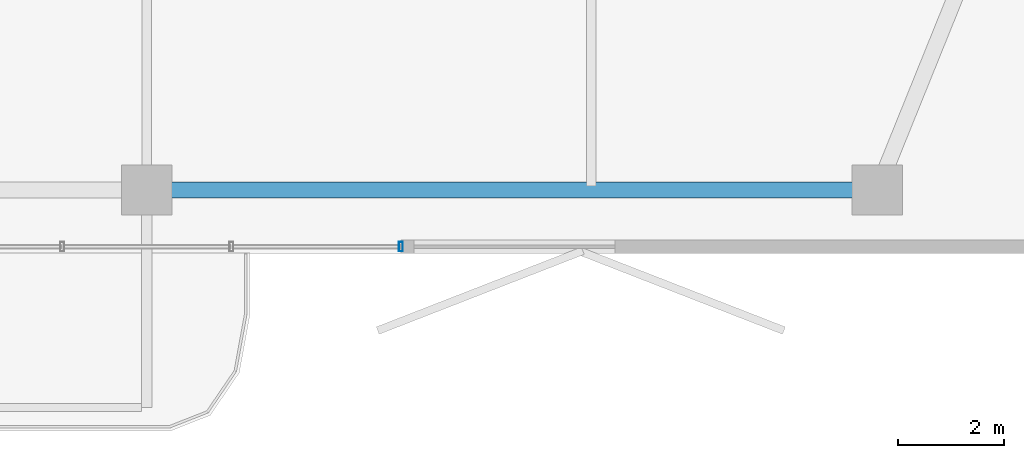
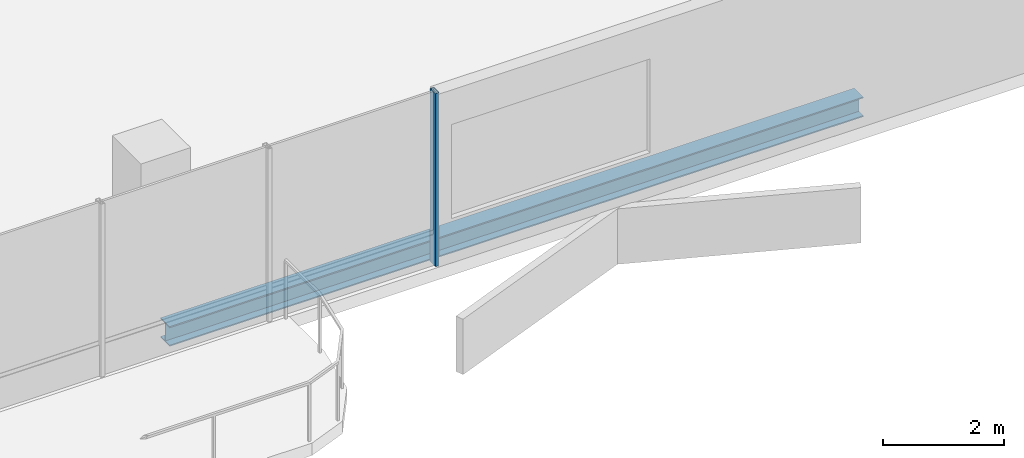
# One storey, part 8 of 25: 1 beam, 1 member, 1 element without a shape of its own.
"""IFC4 building model written with IfcOpenShell, lengths in metres."""

import ifcopenshell
import ifcopenshell.guid

model = None  # the IFC model being written
_history = None  # IfcOwnerHistory: only IFC2X3 demands one
_inside = {}  # id of a spatial element -> (the spatial element, [elements in it])
_under = {}  # id of a project, library or spatial element -> (it, [spatial elements below it])
_declared = {}  # id of a project -> (the project, [libraries it declares])
_typed = {}  # id of a type object -> (the type object, [elements of that type])
_made_of = {}  # id of a material, layer set ... -> (it, [elements and type objects made of it])


def new_model(schema):
    """Start an empty IFC model of exactly this schema.

    Asked for "IFC4X3", IfcOpenShell would pick the latest addendum, in which some entities
    have other attributes; the version numbers below select the first issue.
    IFC2X3 requires an IfcOwnerHistory on every rooted entity: one is made here for all.
    """
    global model, _history
    if schema == "IFC4X3":
        model = ifcopenshell.file(schema_version=(4, 3, 0, 0))
    else:
        model = ifcopenshell.file(schema=schema)
    _inside.clear()
    _under.clear()
    _declared.clear()
    _typed.clear()
    _made_of.clear()
    _history = None
    if model.schema == "IFC2X3":
        org = make("IfcOrganization", Name="unknown")
        user = make(
            "IfcPersonAndOrganization",
            ThePerson=make("IfcPerson", FamilyName="unknown"),
            TheOrganization=org,
        )
        app = make(
            "IfcApplication",
            ApplicationDeveloper=org,
            Version="unknown",
            ApplicationFullName="unknown",
            ApplicationIdentifier="unknown",
        )
        _history = make(
            "IfcOwnerHistory",
            OwningUser=user,
            OwningApplication=app,
            ChangeAction="ADDED",
            CreationDate=0,
        )
    return model


def make(cls, **values):
    """One entity of the class cls with the attributes given. An attribute that is None is left unset."""
    return model.create_entity(
        cls, **{name: value for name, value in values.items() if value is not None}
    )


def rooted(cls, **values):
    """An entity with a GlobalId (a new one), such as an element, a storey or a relation."""
    return make(cls, GlobalId=ifcopenshell.guid.new(), OwnerHistory=_history, **values)


def si_unit(unit_type, name, prefix=None):
    """IfcSIUnit, for example si_unit("LENGTHUNIT", "METRE", prefix="MILLI")."""
    return make("IfcSIUnit", UnitType=unit_type, Prefix=prefix, Name=name)


def assignment(units):
    """IfcUnitAssignment: the units of a project."""
    return None if units is None else make("IfcUnitAssignment", Units=units)


def point(xyz):
    """IfcCartesianPoint."""
    return None if xyz is None else make("IfcCartesianPoint", Coordinates=xyz)


def direction(xyz):
    """IfcDirection."""
    return None if xyz is None else make("IfcDirection", DirectionRatios=xyz)


def frame(location, z_axis=None, x_axis=None):
    """IfcAxis2Placement3D, a coordinate frame: its origin and axes. An axis left out is left unset."""
    return make(
        "IfcAxis2Placement3D",
        Location=point(location),
        Axis=direction(z_axis),
        RefDirection=direction(x_axis),
    )


def frame_2d(location, x_axis=None):
    """IfcAxis2Placement2D, a coordinate frame in the plane: its origin and x axis."""
    return make(
        "IfcAxis2Placement2D", Location=point(location), RefDirection=direction(x_axis)
    )


def origin():
    """The frame at (0, 0, 0) with its axes left unset."""
    return frame((0.0, 0.0, 0.0))


def origin_2d():
    """The frame at (0, 0) in the plane with its x axis left unset."""
    return frame_2d((0.0, 0.0))


def place(relative_to, where):
    """IfcLocalPlacement: puts the frame where relative to a parent placement (None: the world)."""
    return make(
        "IfcLocalPlacement", PlacementRelTo=relative_to, RelativePlacement=where
    )


def context(
    kind, dimensions, precision=None, world=None, true_north=None, identifier=None
):
    """IfcGeometricRepresentationContext, for example the 3D "Model" context."""
    return make(
        "IfcGeometricRepresentationContext",
        ContextIdentifier=identifier,
        ContextType=kind,
        CoordinateSpaceDimension=dimensions,
        Precision=precision,
        WorldCoordinateSystem=world,
        TrueNorth=true_north,
    )


def subcontext(parent, identifier, kind, view, scale=None):
    """IfcGeometricRepresentationSubContext, for example "Body" below "Model"."""
    return make(
        "IfcGeometricRepresentationSubContext",
        ContextIdentifier=identifier,
        ContextType=kind,
        ParentContext=parent,
        TargetScale=scale,
        TargetView=view,
    )


def project(units=None, contexts=None):
    """IfcProject with its units and contexts."""
    return rooted(
        "IfcProject",
        Name="project",
        RepresentationContexts=contexts,
        UnitsInContext=assignment(units),
    )


def spatial(cls, under=None, at=None, **own):
    """A site, building, storey or space (cls), placed at a placement, below another one or the project."""
    s = rooted(cls, ObjectPlacement=at, **own)
    if under is not None:
        _under.setdefault(under.id(), (under, []))[1].append(s)
    return s


def profile(cls, at=None, kind="AREA", **sizes):
    """A parametric profile (cls). Its sizes go by their IFC names, for example OverallWidth=200.0."""
    return make(cls, ProfileType=kind, Position=at, **sizes)


def hollow_rectangle(**sizes):
    """IfcRectangleHollowProfileDef."""
    return profile("IfcRectangleHollowProfileDef", **sizes)


def i_section(**sizes):
    """IfcIShapeProfileDef."""
    return profile("IfcIShapeProfileDef", **sizes)


def extrude(swept, where, along, depth):
    """IfcExtrudedAreaSolid: the profile swept, set in the frame where, extruded along a direction by depth."""
    return make(
        "IfcExtrudedAreaSolid",
        SweptArea=swept,
        Position=where,
        ExtrudedDirection=direction(along),
        Depth=depth,
    )


def shape(context_of_items, identifier, shape_type, items):
    """IfcShapeRepresentation: the items that make up one representation, for example the "Body"."""
    return make(
        "IfcShapeRepresentation",
        ContextOfItems=context_of_items,
        RepresentationIdentifier=identifier,
        RepresentationType=shape_type,
        Items=items,
    )


def material(Name=None, Category=None):
    """IfcMaterial."""
    return make("IfcMaterial", Name=Name, Category=Category)


def layer(
    of_material, thickness, ventilated=None, Name=None, Category=None, Priority=None
):
    """IfcMaterialLayer: one layer of a wall or slab, of a material (None: an air gap)."""
    return make(
        "IfcMaterialLayer",
        Material=of_material,
        LayerThickness=thickness,
        IsVentilated=ventilated,
        Name=Name,
        Category=Category,
        Priority=Priority,
    )


def layer_set(layers, Name=None):
    """IfcMaterialLayerSet."""
    return make("IfcMaterialLayerSet", MaterialLayers=layers, LayerSetName=Name)


def material_profile(
    of_material, cross_section, Name=None, Category=None, Priority=None
):
    """IfcMaterialProfile: a cross section and its material."""
    return make(
        "IfcMaterialProfile",
        Name=Name,
        Material=of_material,
        Profile=cross_section,
        Priority=Priority,
        Category=Category,
    )


def profile_set(profiles, Name=None, composite=None):
    """IfcMaterialProfileSet."""
    return make(
        "IfcMaterialProfileSet",
        Name=Name,
        MaterialProfiles=profiles,
        CompositeProfile=composite,
    )


def made_of(thing, what):
    """Note that an element or type object is made of a material, layer set ...; save() writes the relation."""
    if what is not None:
        _made_of.setdefault(what.id(), (what, []))[1].append(thing)
    return thing


def type_object(cls, material=None, **own):
    """A type object (cls), such as IfcWallType, which elements share."""
    return made_of(rooted(cls, **own), material)


def element(
    cls,
    number,
    at=None,
    inside=None,
    cuts=None,
    type_object=None,
    material=None,
    context=None,
    identifier="Body",
    shape_type=None,
    held_by="IfcProductDefinitionShape",
    body=None,
    shapes=None,
    **own,
):
    """One element of the class cls, such as IfcWall. Its Tag is "e" and its number.

    at: its placement. inside: the storey or other place that contains it. cuts: it is an
    opening in that element (IfcRelVoidsElement). A single representation is given by context,
    identifier, shape_type and body (its items); several are given by shapes. held_by: the class
    of the entity that holds the representations. save() writes the other relations.
    """
    e = rooted(cls, Tag="e%d" % number, ObjectPlacement=at, **own)
    if body is not None:
        shapes = [shape(context, identifier, shape_type, body)]
    if shapes is not None:
        e.Representation = make(held_by, Representations=shapes)
    if inside is not None:
        _inside.setdefault(inside.id(), (inside, []))[1].append(e)
    if cuts is not None:
        rooted(
            "IfcRelVoidsElement", RelatingBuildingElement=cuts, RelatedOpeningElement=e
        )
    if type_object is not None:
        _typed.setdefault(type_object.id(), (type_object, []))[1].append(e)
    return made_of(e, material)


def aggregate(whole, parts):
    """IfcRelAggregates: a whole, such as a stair, and the parts it consists of."""
    return rooted("IfcRelAggregates", RelatingObject=whole, RelatedObjects=parts)


def save(model, path):
    """Write the relations noted so far, then the file.

    IfcRelAggregates (storeys below a building ...), IfcRelContainedInSpatialStructure (elements
    in a storey), IfcRelDefinesByType, IfcRelAssociatesMaterial and IfcRelDeclares: one each for
    every whole, place, type object, material and project.
    """
    for whole, parts in _under.values():
        aggregate(whole, parts)
    for where, things in _inside.values():
        rooted(
            "IfcRelContainedInSpatialStructure",
            RelatedElements=things,
            RelatingStructure=where,
        )
    for kind, things in _typed.values():
        rooted("IfcRelDefinesByType", RelatedObjects=things, RelatingType=kind)
    for what, things in _made_of.values():
        rooted("IfcRelAssociatesMaterial", RelatedObjects=things, RelatingMaterial=what)
    for by, libraries in _declared.values():
        rooted("IfcRelDeclares", RelatingContext=by, RelatedDefinitions=libraries)
    model.write(path)


model = new_model("IFC4")

# Units and contexts
model_context = context("Model", 3, precision=1e-05, world=origin(), true_north=direction((0.0, 1.0)))
body_context = subcontext(model_context, "Body", "Model", "MODEL_VIEW")
ifc_project = project(units=[si_unit("LENGTHUNIT", "METRE"), si_unit("AREAUNIT", "SQUARE_METRE"), si_unit("VOLUMEUNIT", "CUBIC_METRE"), si_unit("PLANEANGLEUNIT", "RADIAN"), si_unit("MASSUNIT", "GRAM", prefix="KILO")], contexts=[model_context])

# Site, building, storey
site_placement = place(None, origin())
site = spatial("IfcSite", under=ifc_project, at=site_placement, CompositionType="ELEMENT")
building_placement = place(site_placement, origin())
building = spatial("IfcBuilding", under=site, at=building_placement, Name="Belovzor Exchange Tower", CompositionType="ELEMENT")
storey_placement = place(building_placement, frame((0.0, 0.0, 254.10009765625)))
storey = spatial("IfcBuildingStorey", under=building, at=storey_placement, Name="L63", CompositionType="ELEMENT", Elevation=254.10009765625)

# Curtain wall, member
ifc_material_1 = material(Name="Anodised Aluminium Framing", Category="aluminium")
ifc_layer = layer(ifc_material_1, 0.179931640625)
ifc_layer_set = layer_set([ifc_layer], Name="Anodised Aluminium Framing")
curtain_wall_type = type_object("IfcCurtainWallType", Name="Recessed Loggia Low-Iron Triple-Glazed Curtain Wall", PredefinedType="NOTDEFINED", material=ifc_layer_set)
curtain_wall_placement = place(storey_placement, origin())
curtain_wall = element("IfcCurtainWall", 1, at=curtain_wall_placement, inside=storey, type_object=curtain_wall_type, Name="CW3 Recessed Loggia Low-Iron Triple-Glazed Curtain Wall L63", PredefinedType="NOTDEFINED")
ifc_material_2 = material(Name="Steel S355", Category="steel")
ifc_material_profile_1 = material_profile(ifc_material_2, hollow_rectangle(XDim=0.074951171875, YDim=0.179931640625, WallThickness=0.0048828125, at=origin_2d()))
ifc_profile_set_1 = profile_set([ifc_material_profile_1], Name="Steel S355")
member_type = type_object("IfcMemberType", Name="Thermally Broken Curtain Wall Mullion 180x75", PredefinedType="MULLION", material=ifc_profile_set_1)
member_placement = place(storey_placement, frame((33.60009765625, 4.030029296875, 0.0), z_axis=(0.0, 0.0, 1.0), x_axis=(-1.0, 0.0, 0.0)))
member = element("IfcMember", 2, at=member_placement, type_object=member_type, Name="CW-M180 Curtain Wall Mullion 1", PredefinedType="MULLION", context=body_context, shape_type="SweptSolid", body=[
    extrude(hollow_rectangle(XDim=0.074951171875, YDim=0.179931640625, WallThickness=0.0048828125, at=origin_2d()), origin(), (0.0, 0.0, 1.0), 3.5),
])
aggregate(curtain_wall, [member])

# Beam
ifc_material_3 = material(Name="Steel S355", Category="steel")
ifc_material_profile_2 = material_profile(ifc_material_3, i_section(OverallWidth=0.300048828125, OverallDepth=0.39990234375, WebThickness=0.013427734375, FlangeThickness=0.02392578125, at=origin_2d()))
ifc_profile_set_2 = profile_set([ifc_material_profile_2], Name="Steel S355")
beam_type = type_object("IfcBeamType", Name="Zone 5 Primary Girder HEB 400", PredefinedType="BEAM", material=ifc_profile_set_2)
beam_placement = place(storey_placement, frame((29.06103515625, 5.10009765625, -0.4501953125), z_axis=(1.0, 0.0, 0.0), x_axis=(0.0, 1.0, 0.0)))
element("IfcBeam", 3, at=beam_placement, inside=storey, type_object=beam_type, Name="FG-Z5 Zone 5 Primary Girder HEB 400", PredefinedType="BEAM", context=body_context, shape_type="SweptSolid", body=[
    extrude(i_section(OverallWidth=0.300048828125, OverallDepth=0.39990234375, WebThickness=0.013427734375, FlangeThickness=0.02392578125, at=origin_2d()), origin(), (0.0, 0.0, 1.0), 13.278076171875),
])

save(model, "model.ifc")
